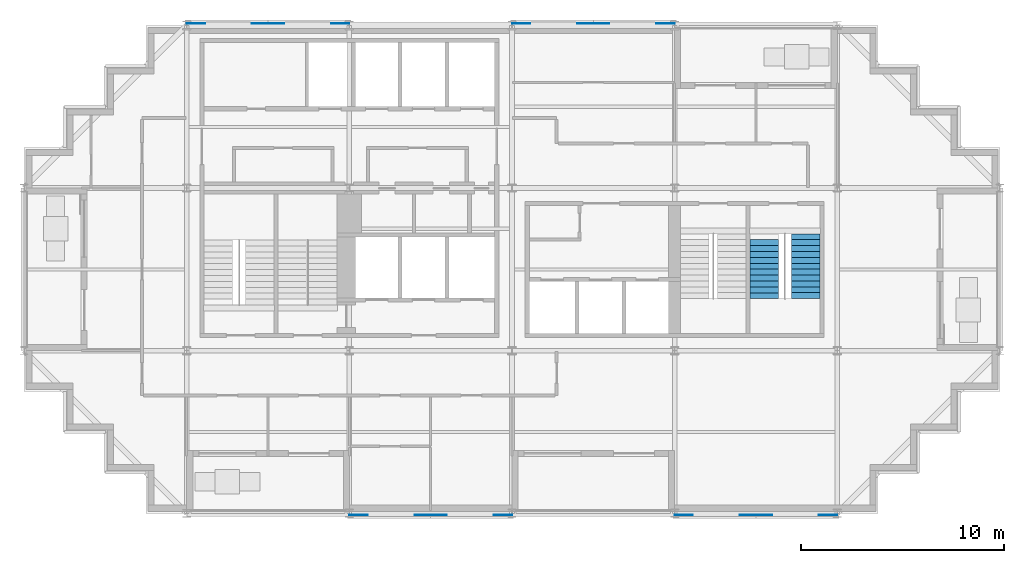
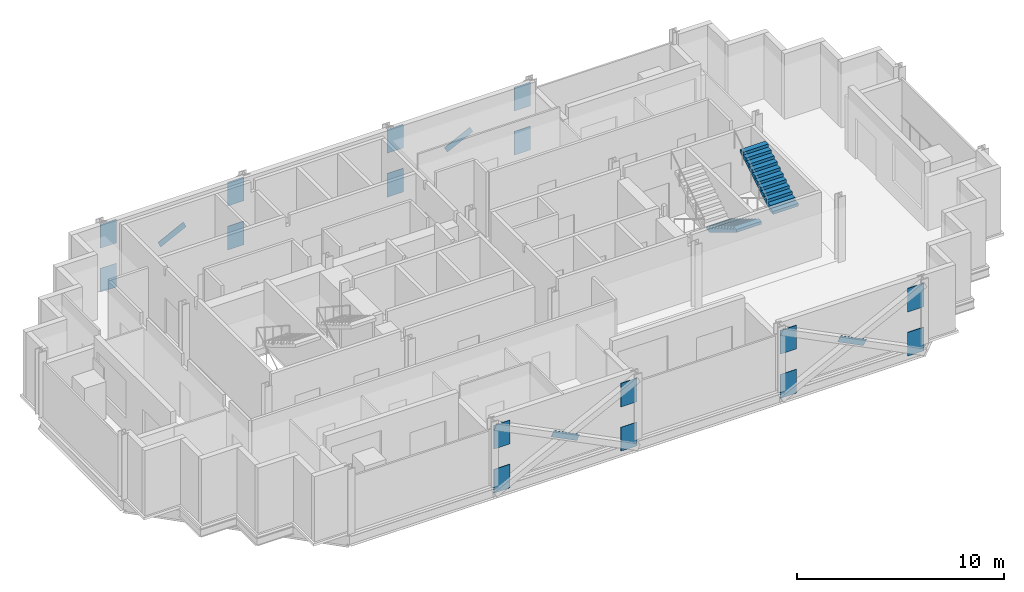
# One storey, part 6 of 8: 20 discrete accessories, 2 stair flights, 1 element without a shape of its own.
"""IFC4 building model written with IfcOpenShell, lengths in metres."""

from ifc_helpers import new_model, si_unit, direction, frame, origin, origin_2d, place, context, subcontext, project, spatial, polyline, rectangle, outline, extrude, material, material_profile, profile_set, type_object, element, aggregate, save


model = new_model("IFC4")

# Units and contexts
model_context = context("Model", 3, precision=1e-05, world=origin(), true_north=direction((0.0, 1.0)))
body_context = subcontext(model_context, "Body", "Model", "MODEL_VIEW")
ifc_project = project(units=[si_unit("LENGTHUNIT", "METRE"), si_unit("AREAUNIT", "SQUARE_METRE"), si_unit("VOLUMEUNIT", "CUBIC_METRE"), si_unit("PLANEANGLEUNIT", "RADIAN"), si_unit("MASSUNIT", "GRAM", prefix="KILO")], contexts=[model_context])

# Site, building, storey
site_placement = place(None, origin())
site = spatial("IfcSite", under=ifc_project, at=site_placement, CompositionType="ELEMENT")
building_placement = place(site_placement, origin())
building = spatial("IfcBuilding", under=site, at=building_placement, Name="Immortelle Media Tower", CompositionType="ELEMENT")
storey_placement = place(building_placement, frame((0.0, 0.0, 209.0)))
storey = spatial("IfcBuildingStorey", under=building, at=storey_placement, Name="L44", CompositionType="ELEMENT", Elevation=209.0)

# Stair, stair flights
ifc_material_1 = material(Name="Steel ASTM A992 Gr 50", Category="steel")
stair_type = type_object("IfcStairType", Name="Stair with flights", PredefinedType="DOUBLE_RETURN_STAIR", material=ifc_material_1)
stair_placement = place(storey_placement, origin())
stair = element("IfcStair", 1, at=stair_placement, inside=storey, type_object=stair_type, Name="Exit stair SE2", PredefinedType="DOUBLE_RETURN_STAIR")
stair_flight_type = type_object("IfcStairFlightType", Name="Stair flight 1400", PredefinedType="STRAIGHT", material=ifc_material_1)
stair_flight_1_placement = place(storey_placement, frame((36.39990234375, 13.4599609375, 0.0), z_axis=(0.0, 0.0, 1.0), x_axis=(0.0, -1.0, 0.0)))
stair_flight_1 = element("IfcStairFlight", 2, at=stair_flight_1_placement, type_object=stair_flight_type, Name="ST SE2 flight 1", NumberOfRisers=11, NumberOfTreads=10, PredefinedType="STRAIGHT", RiserHeight=0.173913043, TreadLength=0.29, context=body_context, shape_type="SweptSolid", body=[
    extrude(outline(polyline([(0.0, 0.0), (0.0, 0.173828125), (0.2900390625, 0.173828125), (0.2900390625, 0.347900390625), (0.580078125, 0.347900390625), (0.580078125, 0.521728515625), (0.8701171875, 0.521728515625), (0.8701171875, 0.695556640625), (1.159912109375, 0.695556640625), (1.159912109375, 0.86962890625), (1.449951171875, 0.86962890625), (1.449951171875, 1.04345703125), (1.739990234375, 1.04345703125), (1.739990234375, 1.21728515625), (2.030029296875, 1.21728515625), (2.030029296875, 1.391357421875), (2.320068359375, 1.391357421875), (2.320068359375, 1.565185546875), (2.610107421875, 1.565185546875), (2.610107421875, 1.739013671875), (2.89990234375, 1.739013671875), (2.89990234375, 1.9130859375), (2.89990234375, 1.564453125), (0.29150390625, 0.0), (0.0, 0.0)])), frame((0.0, 0.699951171875, 0.0), z_axis=(0.0, -1.0, 0.0), x_axis=(1.0, 0.0, 0.0)), (0.0, 0.0, 1.0), 1.39990234375),
])
stair_flight_2_placement = place(storey_placement, frame((38.449951171875, 10.56005859375, 1.9130859375), z_axis=(0.0, 0.0, 1.0), x_axis=(0.0, 1.0, 0.0)))
stair_flight_2 = element("IfcStairFlight", 3, at=stair_flight_2_placement, type_object=stair_flight_type, Name="ST SE2 flight 2", NumberOfRisers=12, NumberOfTreads=11, PredefinedType="STRAIGHT", RiserHeight=0.173913043, TreadLength=0.29, context=body_context, shape_type="SweptSolid", body=[
    extrude(outline(polyline([(0.0, 0.0), (0.0, 0.173828125), (0.2900390625, 0.173828125), (0.2900390625, 0.347900390625), (0.580078125, 0.347900390625), (0.580078125, 0.521728515625), (0.8701171875, 0.521728515625), (0.8701171875, 0.695556640625), (1.159912109375, 0.695556640625), (1.159912109375, 0.86962890625), (1.449951171875, 0.86962890625), (1.449951171875, 1.04345703125), (1.739990234375, 1.04345703125), (1.739990234375, 1.21728515625), (2.030029296875, 1.21728515625), (2.030029296875, 1.391357421875), (2.320068359375, 1.391357421875), (2.320068359375, 1.565185546875), (2.610107421875, 1.565185546875), (2.610107421875, 1.739013671875), (2.89990234375, 1.739013671875), (2.89990234375, 1.9130859375), (3.18994140625, 1.9130859375), (3.18994140625, 2.0869140625), (3.18994140625, 1.73828125), (0.29150390625, 0.0), (0.0, 0.0)])), frame((0.0, 0.699951171875, 0.0), z_axis=(0.0, -1.0, 0.0), x_axis=(1.0, 0.0, 0.0)), (0.0, 0.0, 1.0), 1.39990234375),
])
aggregate(stair, [stair_flight_1, stair_flight_2])

# Discrete accessories
ifc_material_2 = material(Name="Steel ASTM A572 Gr 50", Category="steel")
ifc_material_profile_1 = material_profile(ifc_material_2, rectangle(XDim=0.02392578125, YDim=0.35595703125, at=origin_2d()), Name="PL 24 x 356")
ifc_profile_set_1 = profile_set([ifc_material_profile_1], Name="Steel ASTM A572 Gr 50")
discrete_accessory_type_1 = type_object("IfcDiscreteAccessoryType", Name="Crossing plate XP-BR5 1600 x 356 x 24", PredefinedType="USERDEFINED", material=ifc_profile_set_1)
for number, where, z_axis, x_axis, name in (
    (4, (28.715576171875, 24.087890625, 1.90185546875), (-0.894427191, 0.0, -0.4472135955), (0.0, -1.0, 0.0), "Crossing plate XP-BR5 of Brace D/4-5 A and Brace D/4-5 B"),
    (5, (12.715576171875, 24.087890625, 1.90185546875), (-0.894427191, 0.0, -0.4472135955), (0.0, -1.0, 0.0), "Crossing plate XP-BR5 of Brace D/2-3 A and Brace D/2-3 B"),
    (6, (19.284423828125, -0.087890625, 1.90185546875), (0.894427191, 0.0, -0.4472135955), (0.0, 1.0, 0.0), "Crossing plate XP-BR5 of Brace A/3-4 A and Brace A/3-4 B"),
    (7, (35.284423828125, -0.087890625, 1.90185546875), (0.894427191, 0.0, -0.4472135955), (0.0, 1.0, 0.0), "Crossing plate XP-BR5 of Brace A/5-6 A and Brace A/5-6 B"),
):
    element("IfcDiscreteAccessory", number, at=place(storey_placement, frame(where, z_axis=z_axis, x_axis=x_axis)), inside=storey, type_object=discrete_accessory_type_1, Name=name, ObjectType="CROSSING PLATE", PredefinedType="USERDEFINED", context=body_context, shape_type="SweptSolid", body=[
        extrude(rectangle(XDim=0.02392578125, YDim=0.35595703125, at=origin_2d()), origin(), (0.0, 0.0, 1.0), 1.60009765625),
    ])
ifc_material_profile_2 = material_profile(ifc_material_2, rectangle(XDim=0.031982421875, YDim=1.39990234375, at=origin_2d()), Name="PL 32 x 1400")
ifc_profile_set_2 = profile_set([ifc_material_profile_2], Name="Steel ASTM A572 Gr 50")
discrete_accessory_type_2 = type_object("IfcDiscreteAccessoryType", Name="Gusset plate GP1 900 x 1400 x 32", PredefinedType="USERDEFINED", material=ifc_profile_set_2)
for number, where, z_axis, x_axis, name in (
    (8, (16.0, -0.087890625, 0.243896484375), (1.0, 0.0, 0.0), (0.0, 1.0, 0.0), "Gusset plate GP1, lower end of Brace A/3-4 A"),
    (9, (24.0, -0.087890625, 2.843994140625), (-1.0, 0.0, 0.0), (0.0, -1.0, 0.0), "Gusset plate GP1, upper end of Brace A/3-4 A"),
    (10, (24.0, -0.087890625, 0.243896484375), (-1.0, 0.0, 0.0), (0.0, -1.0, 0.0), "Gusset plate GP1, lower end of Brace A/3-4 B"),
    (11, (16.0, -0.087890625, 2.843994140625), (1.0, 0.0, 0.0), (0.0, 1.0, 0.0), "Gusset plate GP1, upper end of Brace A/3-4 B"),
    (12, (32.0, -0.087890625, 0.243896484375), (1.0, 0.0, 0.0), (0.0, 1.0, 0.0), "Gusset plate GP1, lower end of Brace A/5-6 A"),
    (13, (40.0, -0.087890625, 2.843994140625), (-1.0, 0.0, 0.0), (0.0, -1.0, 0.0), "Gusset plate GP1, upper end of Brace A/5-6 A"),
    (14, (40.0, -0.087890625, 0.243896484375), (-1.0, 0.0, 0.0), (0.0, -1.0, 0.0), "Gusset plate GP1, lower end of Brace A/5-6 B"),
    (15, (32.0, -0.087890625, 2.843994140625), (1.0, 0.0, 0.0), (0.0, 1.0, 0.0), "Gusset plate GP1, upper end of Brace A/5-6 B"),
    (16, (32.0, 24.087890625, 0.243896484375), (-1.0, 0.0, 0.0), (0.0, -1.0, 0.0), "Gusset plate GP1, lower end of Brace D/4-5 A"),
    (17, (24.0, 24.087890625, 2.843994140625), (1.0, 0.0, 0.0), (0.0, 1.0, 0.0), "Gusset plate GP1, upper end of Brace D/4-5 A"),
    (18, (24.0, 24.087890625, 0.243896484375), (1.0, 0.0, 0.0), (0.0, 1.0, 0.0), "Gusset plate GP1, lower end of Brace D/4-5 B"),
    (19, (32.0, 24.087890625, 2.843994140625), (-1.0, 0.0, 0.0), (0.0, -1.0, 0.0), "Gusset plate GP1, upper end of Brace D/4-5 B"),
    (20, (16.0, 24.087890625, 0.243896484375), (-1.0, 0.0, 0.0), (0.0, -1.0, 0.0), "Gusset plate GP1, lower end of Brace D/2-3 A"),
    (21, (8.0, 24.087890625, 2.843994140625), (1.0, 0.0, 0.0), (0.0, 1.0, 0.0), "Gusset plate GP1, upper end of Brace D/2-3 A"),
    (22, (8.0, 24.087890625, 0.243896484375), (1.0, 0.0, 0.0), (0.0, 1.0, 0.0), "Gusset plate GP1, lower end of Brace D/2-3 B"),
    (23, (16.0, 24.087890625, 2.843994140625), (-1.0, 0.0, 0.0), (0.0, -1.0, 0.0), "Gusset plate GP1, upper end of Brace D/2-3 B"),
):
    element("IfcDiscreteAccessory", number, at=place(storey_placement, frame(where, z_axis=z_axis, x_axis=x_axis)), inside=storey, type_object=discrete_accessory_type_2, Name=name, ObjectType="GUSSET PLATE", PredefinedType="USERDEFINED", context=body_context, shape_type="SweptSolid", body=[
        extrude(rectangle(XDim=0.031982421875, YDim=1.39990234375, at=origin_2d()), origin(), (0.0, 0.0, 1.0), 0.89990234375),
    ])

save(model, "model.ifc")
